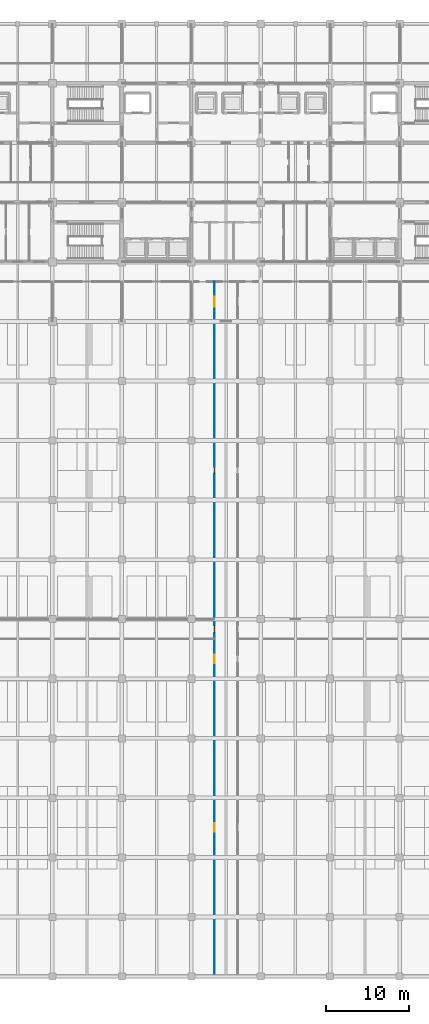
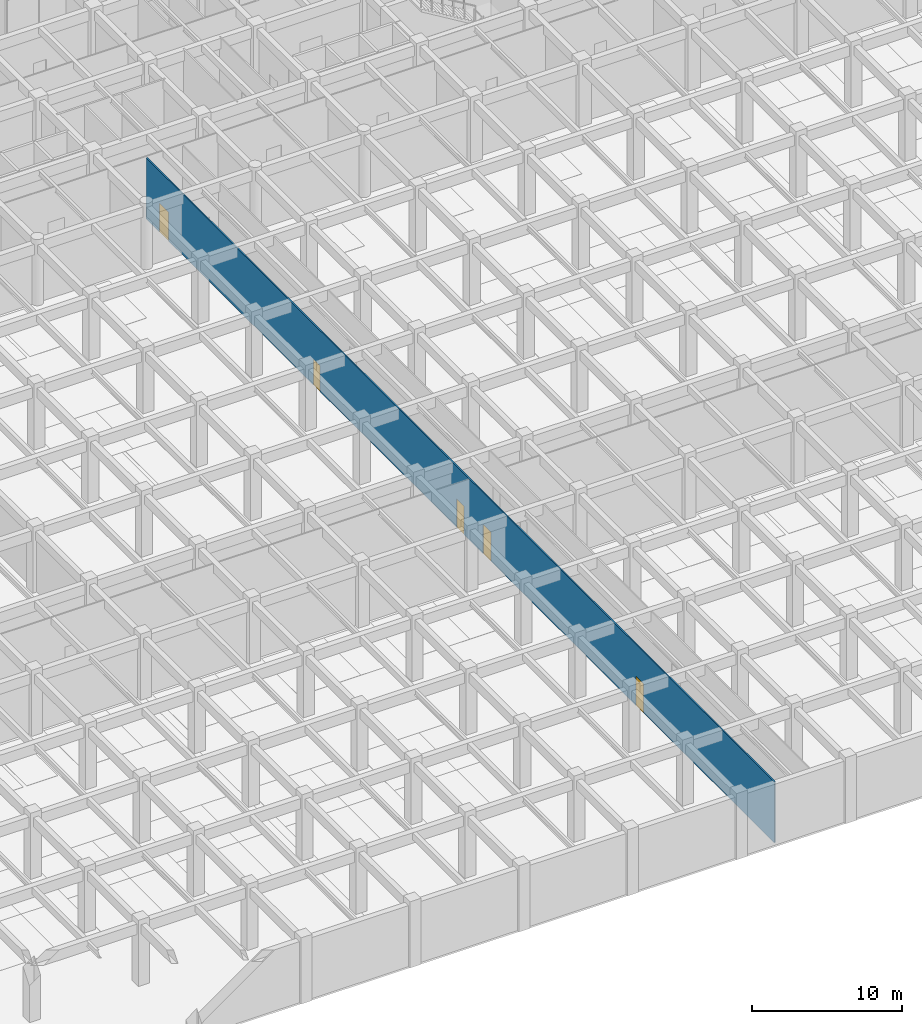
# One storey, part 16 of 48: 5 doors, 1 wall, 5 openings.
"""IFC4 building model written with IfcOpenShell, lengths in metres."""

import ifcopenshell
import ifcopenshell.guid

model = None  # the IFC model being written
_history = None  # IfcOwnerHistory: only IFC2X3 demands one
_inside = {}  # id of a spatial element -> (the spatial element, [elements in it])
_under = {}  # id of a project, library or spatial element -> (it, [spatial elements below it])
_declared = {}  # id of a project -> (the project, [libraries it declares])
_typed = {}  # id of a type object -> (the type object, [elements of that type])
_made_of = {}  # id of a material, layer set ... -> (it, [elements and type objects made of it])


def new_model(schema):
    """Start an empty IFC model of exactly this schema.

    Asked for "IFC4X3", IfcOpenShell would pick the latest addendum, in which some entities
    have other attributes; the version numbers below select the first issue.
    IFC2X3 requires an IfcOwnerHistory on every rooted entity: one is made here for all.
    """
    global model, _history
    if schema == "IFC4X3":
        model = ifcopenshell.file(schema_version=(4, 3, 0, 0))
    else:
        model = ifcopenshell.file(schema=schema)
    _inside.clear()
    _under.clear()
    _declared.clear()
    _typed.clear()
    _made_of.clear()
    _history = None
    if model.schema == "IFC2X3":
        org = make("IfcOrganization", Name="unknown")
        user = make(
            "IfcPersonAndOrganization",
            ThePerson=make("IfcPerson", FamilyName="unknown"),
            TheOrganization=org,
        )
        app = make(
            "IfcApplication",
            ApplicationDeveloper=org,
            Version="unknown",
            ApplicationFullName="unknown",
            ApplicationIdentifier="unknown",
        )
        _history = make(
            "IfcOwnerHistory",
            OwningUser=user,
            OwningApplication=app,
            ChangeAction="ADDED",
            CreationDate=0,
        )
    return model


def make(cls, **values):
    """One entity of the class cls with the attributes given. An attribute that is None is left unset."""
    return model.create_entity(
        cls, **{name: value for name, value in values.items() if value is not None}
    )


def rooted(cls, **values):
    """An entity with a GlobalId (a new one), such as an element, a storey or a relation."""
    return make(cls, GlobalId=ifcopenshell.guid.new(), OwnerHistory=_history, **values)


def si_unit(unit_type, name, prefix=None):
    """IfcSIUnit, for example si_unit("LENGTHUNIT", "METRE", prefix="MILLI")."""
    return make("IfcSIUnit", UnitType=unit_type, Prefix=prefix, Name=name)


def assignment(units):
    """IfcUnitAssignment: the units of a project."""
    return None if units is None else make("IfcUnitAssignment", Units=units)


def point(xyz):
    """IfcCartesianPoint."""
    return None if xyz is None else make("IfcCartesianPoint", Coordinates=xyz)


def direction(xyz):
    """IfcDirection."""
    return None if xyz is None else make("IfcDirection", DirectionRatios=xyz)


def frame(location, z_axis=None, x_axis=None):
    """IfcAxis2Placement3D, a coordinate frame: its origin and axes. An axis left out is left unset."""
    return make(
        "IfcAxis2Placement3D",
        Location=point(location),
        Axis=direction(z_axis),
        RefDirection=direction(x_axis),
    )


def frame_2d(location, x_axis=None):
    """IfcAxis2Placement2D, a coordinate frame in the plane: its origin and x axis."""
    return make(
        "IfcAxis2Placement2D", Location=point(location), RefDirection=direction(x_axis)
    )


def origin():
    """The frame at (0, 0, 0) with its axes left unset."""
    return frame((0.0, 0.0, 0.0))


def place(relative_to, where):
    """IfcLocalPlacement: puts the frame where relative to a parent placement (None: the world)."""
    return make(
        "IfcLocalPlacement", PlacementRelTo=relative_to, RelativePlacement=where
    )


def context(
    kind, dimensions, precision=None, world=None, true_north=None, identifier=None
):
    """IfcGeometricRepresentationContext, for example the 3D "Model" context."""
    return make(
        "IfcGeometricRepresentationContext",
        ContextIdentifier=identifier,
        ContextType=kind,
        CoordinateSpaceDimension=dimensions,
        Precision=precision,
        WorldCoordinateSystem=world,
        TrueNorth=true_north,
    )


def subcontext(parent, identifier, kind, view, scale=None):
    """IfcGeometricRepresentationSubContext, for example "Body" below "Model"."""
    return make(
        "IfcGeometricRepresentationSubContext",
        ContextIdentifier=identifier,
        ContextType=kind,
        ParentContext=parent,
        TargetScale=scale,
        TargetView=view,
    )


def project(units=None, contexts=None):
    """IfcProject with its units and contexts."""
    return rooted(
        "IfcProject",
        Name="project",
        RepresentationContexts=contexts,
        UnitsInContext=assignment(units),
    )


def spatial(cls, under=None, at=None, **own):
    """A site, building, storey or space (cls), placed at a placement, below another one or the project."""
    s = rooted(cls, ObjectPlacement=at, **own)
    if under is not None:
        _under.setdefault(under.id(), (under, []))[1].append(s)
    return s


def profile(cls, at=None, kind="AREA", **sizes):
    """A parametric profile (cls). Its sizes go by their IFC names, for example OverallWidth=200.0."""
    return make(cls, ProfileType=kind, Position=at, **sizes)


def rectangle(**sizes):
    """IfcRectangleProfileDef."""
    return profile("IfcRectangleProfileDef", **sizes)


def extrude(swept, where, along, depth):
    """IfcExtrudedAreaSolid: the profile swept, set in the frame where, extruded along a direction by depth."""
    return make(
        "IfcExtrudedAreaSolid",
        SweptArea=swept,
        Position=where,
        ExtrudedDirection=direction(along),
        Depth=depth,
    )


def shape(context_of_items, identifier, shape_type, items):
    """IfcShapeRepresentation: the items that make up one representation, for example the "Body"."""
    return make(
        "IfcShapeRepresentation",
        ContextOfItems=context_of_items,
        RepresentationIdentifier=identifier,
        RepresentationType=shape_type,
        Items=items,
    )


def material(Name=None, Category=None):
    """IfcMaterial."""
    return make("IfcMaterial", Name=Name, Category=Category)


def layer(
    of_material, thickness, ventilated=None, Name=None, Category=None, Priority=None
):
    """IfcMaterialLayer: one layer of a wall or slab, of a material (None: an air gap)."""
    return make(
        "IfcMaterialLayer",
        Material=of_material,
        LayerThickness=thickness,
        IsVentilated=ventilated,
        Name=Name,
        Category=Category,
        Priority=Priority,
    )


def layer_set(layers, Name=None):
    """IfcMaterialLayerSet."""
    return make("IfcMaterialLayerSet", MaterialLayers=layers, LayerSetName=Name)


def made_of(thing, what):
    """Note that an element or type object is made of a material, layer set ...; save() writes the relation."""
    if what is not None:
        _made_of.setdefault(what.id(), (what, []))[1].append(thing)
    return thing


def type_object(cls, material=None, **own):
    """A type object (cls), such as IfcWallType, which elements share."""
    return made_of(rooted(cls, **own), material)


def element(
    cls,
    number,
    at=None,
    inside=None,
    cuts=None,
    type_object=None,
    material=None,
    context=None,
    identifier="Body",
    shape_type=None,
    held_by="IfcProductDefinitionShape",
    body=None,
    shapes=None,
    **own,
):
    """One element of the class cls, such as IfcWall. Its Tag is "e" and its number.

    at: its placement. inside: the storey or other place that contains it. cuts: it is an
    opening in that element (IfcRelVoidsElement). A single representation is given by context,
    identifier, shape_type and body (its items); several are given by shapes. held_by: the class
    of the entity that holds the representations. save() writes the other relations.
    """
    e = rooted(cls, Tag="e%d" % number, ObjectPlacement=at, **own)
    if body is not None:
        shapes = [shape(context, identifier, shape_type, body)]
    if shapes is not None:
        e.Representation = make(held_by, Representations=shapes)
    if inside is not None:
        _inside.setdefault(inside.id(), (inside, []))[1].append(e)
    if cuts is not None:
        rooted(
            "IfcRelVoidsElement", RelatingBuildingElement=cuts, RelatedOpeningElement=e
        )
    if type_object is not None:
        _typed.setdefault(type_object.id(), (type_object, []))[1].append(e)
    return made_of(e, material)


def fill(opening, filler):
    """IfcRelFillsElement: the door or window that sits in an opening."""
    return rooted(
        "IfcRelFillsElement",
        RelatingOpeningElement=opening,
        RelatedBuildingElement=filler,
    )


def aggregate(whole, parts):
    """IfcRelAggregates: a whole, such as a stair, and the parts it consists of."""
    return rooted("IfcRelAggregates", RelatingObject=whole, RelatedObjects=parts)


def save(model, path):
    """Write the relations noted so far, then the file.

    IfcRelAggregates (storeys below a building ...), IfcRelContainedInSpatialStructure (elements
    in a storey), IfcRelDefinesByType, IfcRelAssociatesMaterial and IfcRelDeclares: one each for
    every whole, place, type object, material and project.
    """
    for whole, parts in _under.values():
        aggregate(whole, parts)
    for where, things in _inside.values():
        rooted(
            "IfcRelContainedInSpatialStructure",
            RelatedElements=things,
            RelatingStructure=where,
        )
    for kind, things in _typed.values():
        rooted("IfcRelDefinesByType", RelatedObjects=things, RelatingType=kind)
    for what, things in _made_of.values():
        rooted("IfcRelAssociatesMaterial", RelatedObjects=things, RelatingMaterial=what)
    for by, libraries in _declared.values():
        rooted("IfcRelDeclares", RelatingContext=by, RelatedDefinitions=libraries)
    model.write(path)


model = new_model("IFC4")

# Units and contexts
model_context = context("Model", 3, precision=1e-05, world=origin(), true_north=direction((0.0, 1.0)))
body_context = subcontext(model_context, "Body", "Model", "MODEL_VIEW")
ifc_project = project(units=[si_unit("LENGTHUNIT", "METRE"), si_unit("AREAUNIT", "SQUARE_METRE"), si_unit("VOLUMEUNIT", "CUBIC_METRE"), si_unit("PLANEANGLEUNIT", "RADIAN"), si_unit("MASSUNIT", "GRAM", prefix="KILO")], contexts=[model_context])

# Site, building, storey
site_placement = place(None, origin())
site = spatial("IfcSite", under=ifc_project, at=site_placement, CompositionType="ELEMENT")
building_placement = place(site_placement, origin())
building = spatial("IfcBuilding", under=site, at=building_placement, Name="Chengyuan Square Courthouse", CompositionType="ELEMENT")
storey_placement = place(building_placement, frame((0.0, 0.0, -5.39990234375)))
storey = spatial("IfcBuildingStorey", under=building, at=storey_placement, Name="B01", CompositionType="ELEMENT", Elevation=-5.39990234375)

# Wall, openings, doors
ifc_material_1 = material(Name="Gypsum Plasterboard Acoustic Stud Partition")
ifc_layer = layer(ifc_material_1, 0.10009765625)
ifc_layer_set = layer_set([ifc_layer], Name="Gypsum Plasterboard Acoustic Stud Partition")
wall_type = type_object("IfcWallType", Name="WL-PT6", PredefinedType="STANDARD", material=ifc_layer_set)
wall_placement = place(storey_placement, frame((78.39990234375, 0.0400390625, 0.0), z_axis=(0.0, 0.0, 1.0), x_axis=(0.0, 1.0, 0.0)))
wall = element("IfcWall", 1, at=wall_placement, inside=storey, type_object=wall_type, Name="Interior Wall WL-B01-I518", PredefinedType="STANDARD", context=body_context, shape_type="SweptSolid", body=[
    extrude(rectangle(XDim=83.9599609375, YDim=0.10009765625, at=frame_2d((41.97998046875, 0.0))), origin(), (0.0, 0.0, 1.0), 4.97998046875),
])
opening_1_placement = place(wall_placement, frame((80.9599609375, 0.0, 0.0)))
opening_1 = element("IfcOpeningElement", 2, at=opening_1_placement, cuts=wall, Name="Opening DR-638", PredefinedType="OPENING", context=body_context, shape_type="SweptSolid", body=[
    extrude(rectangle(XDim=1.199951171875, YDim=2.35009765625, at=frame_2d((0.60009765625, 1.175048828125))), frame((0.0, 0.06201171875, 0.0), z_axis=(0.0, -1.0, 0.0), x_axis=(1.0, 0.0, 0.0)), (0.0, 0.0, 1.0), 0.1240234375),
])
opening_2_placement = place(wall_placement, frame((41.489990234375, 0.0, 0.0)))
opening_2 = element("IfcOpeningElement", 3, at=opening_2_placement, cuts=wall, Name="Opening DR-641", PredefinedType="OPENING", context=body_context, shape_type="SweptSolid", body=[
    extrude(rectangle(XDim=0.93994140625, YDim=2.300048828125, at=frame_2d((0.469970703125, 1.14990234375))), frame((0.0, 0.06201171875, 0.0), z_axis=(0.0, -1.0, 0.0), x_axis=(1.0, 0.0, 0.0)), (0.0, 0.0, 1.0), 0.1240234375),
])
opening_3_placement = place(wall_placement, frame((17.469970703125, 0.0, 0.0)))
opening_3 = element("IfcOpeningElement", 4, at=opening_3_placement, cuts=wall, Name="Opening DR-643", PredefinedType="OPENING", context=body_context, shape_type="SweptSolid", body=[
    extrude(rectangle(XDim=1.02001953125, YDim=2.39990234375, at=frame_2d((0.510009765625, 1.199951171875))), frame((0.0, 0.06201171875, 0.0), z_axis=(0.0, -1.0, 0.0), x_axis=(1.0, 0.0, 0.0)), (0.0, 0.0, 1.0), 0.1240234375),
])
opening_4_placement = place(wall_placement, frame((37.830078125, 0.0, 0.0)))
opening_4 = element("IfcOpeningElement", 5, at=opening_4_placement, cuts=wall, Name="Opening DR-644", PredefinedType="OPENING", context=body_context, shape_type="SweptSolid", body=[
    extrude(rectangle(XDim=1.06005859375, YDim=2.39990234375, at=frame_2d((0.530029296875, 1.199951171875))), frame((0.0, 0.06201171875, 0.0), z_axis=(0.0, -1.0, 0.0), x_axis=(1.0, 0.0, 0.0)), (0.0, 0.0, 1.0), 0.1240234375),
])
opening_5_placement = place(wall_placement, frame((60.72998046875, 0.0, 0.0)))
opening_5 = element("IfcOpeningElement", 6, at=opening_5_placement, cuts=wall, Name="Opening DR-647", PredefinedType="OPENING", context=body_context, shape_type="SweptSolid", body=[
    extrude(rectangle(XDim=0.860107421875, YDim=2.10009765625, at=frame_2d((0.43017578125, 1.050048828125))), frame((0.0, 0.06201171875, 0.0), z_axis=(0.0, -1.0, 0.0), x_axis=(1.0, 0.0, 0.0)), (0.0, 0.0, 1.0), 0.1240234375),
])
ifc_material_2 = material(Name="Acoustic Solid-Core Timber Door", Category="wood")
door_type_1 = type_object("IfcDoorType", Name="DT-28", OperationType="NOTDEFINED", PredefinedType="DOOR", material=ifc_material_2)
door_1_placement = place(opening_5_placement, origin())
door_1 = element("IfcDoor", 7, at=door_1_placement, inside=storey, type_object=door_type_1, Name="Interior Door DR-647", OperationType="SINGLE_SWING_RIGHT", OverallHeight=2.10009765625, OverallWidth=0.860107421875, PredefinedType="DOOR", context=body_context, shape_type="SweptSolid", body=[
    extrude(rectangle(XDim=0.860107421875, YDim=2.10009765625, at=frame_2d((0.43017578125, 1.050048828125))), frame((0.0, 0.02490234375, 0.0), z_axis=(0.0, -1.0, 0.0), x_axis=(1.0, 0.0, 0.0)), (0.0, 0.0, 1.0), 0.050048828125),
])
fill(opening_5, door_1)
door_type_2 = type_object("IfcDoorType", Name="DT-36", OperationType="NOTDEFINED", PredefinedType="DOOR", material=ifc_material_2)
door_2_placement = place(opening_1_placement, origin())
door_2 = element("IfcDoor", 8, at=door_2_placement, inside=storey, type_object=door_type_2, Name="Interior Door DR-638", OperationType="SINGLE_SWING_LEFT", OverallHeight=2.35009765625, OverallWidth=1.199951171875, PredefinedType="DOOR", context=body_context, shape_type="SweptSolid", body=[
    extrude(rectangle(XDim=1.199951171875, YDim=2.35009765625, at=frame_2d((0.60009765625, 1.175048828125))), frame((0.0, 0.02490234375, 0.0), z_axis=(0.0, -1.0, 0.0), x_axis=(1.0, 0.0, 0.0)), (0.0, 0.0, 1.0), 0.050048828125),
])
fill(opening_1, door_2)
door_type_3 = type_object("IfcDoorType", Name="DT-39", OperationType="NOTDEFINED", PredefinedType="DOOR", material=ifc_material_2)
door_3_placement = place(opening_2_placement, origin())
door_3 = element("IfcDoor", 9, at=door_3_placement, inside=storey, type_object=door_type_3, Name="Interior Door DR-641", OperationType="SINGLE_SWING_RIGHT", OverallHeight=2.300048828125, OverallWidth=0.93994140625, PredefinedType="DOOR", context=body_context, shape_type="SweptSolid", body=[
    extrude(rectangle(XDim=0.93994140625, YDim=2.300048828125, at=frame_2d((0.469970703125, 1.14990234375))), frame((0.0, 0.02490234375, 0.0), z_axis=(0.0, -1.0, 0.0), x_axis=(1.0, 0.0, 0.0)), (0.0, 0.0, 1.0), 0.050048828125),
])
fill(opening_2, door_3)
door_type_4 = type_object("IfcDoorType", Name="DT-41", OperationType="NOTDEFINED", PredefinedType="DOOR", material=ifc_material_2)
door_4_placement = place(opening_3_placement, origin())
door_4 = element("IfcDoor", 10, at=door_4_placement, inside=storey, type_object=door_type_4, Name="Interior Door DR-643", OperationType="SINGLE_SWING_RIGHT", OverallHeight=2.39990234375, OverallWidth=1.02001953125, PredefinedType="DOOR", context=body_context, shape_type="SweptSolid", body=[
    extrude(rectangle(XDim=1.02001953125, YDim=2.39990234375, at=frame_2d((0.510009765625, 1.199951171875))), frame((0.0, 0.02490234375, 0.0), z_axis=(0.0, -1.0, 0.0), x_axis=(1.0, 0.0, 0.0)), (0.0, 0.0, 1.0), 0.050048828125),
])
fill(opening_3, door_4)
door_type_5 = type_object("IfcDoorType", Name="DT-42", OperationType="NOTDEFINED", PredefinedType="DOOR", material=ifc_material_2)
door_5_placement = place(opening_4_placement, origin())
door_5 = element("IfcDoor", 11, at=door_5_placement, inside=storey, type_object=door_type_5, Name="Interior Door DR-644", OperationType="SINGLE_SWING_LEFT", OverallHeight=2.39990234375, OverallWidth=1.06005859375, PredefinedType="DOOR", context=body_context, shape_type="SweptSolid", body=[
    extrude(rectangle(XDim=1.06005859375, YDim=2.39990234375, at=frame_2d((0.530029296875, 1.199951171875))), frame((0.0, 0.02490234375, 0.0), z_axis=(0.0, -1.0, 0.0), x_axis=(1.0, 0.0, 0.0)), (0.0, 0.0, 1.0), 0.050048828125),
])
fill(opening_4, door_5)

save(model, "model.ifc")
